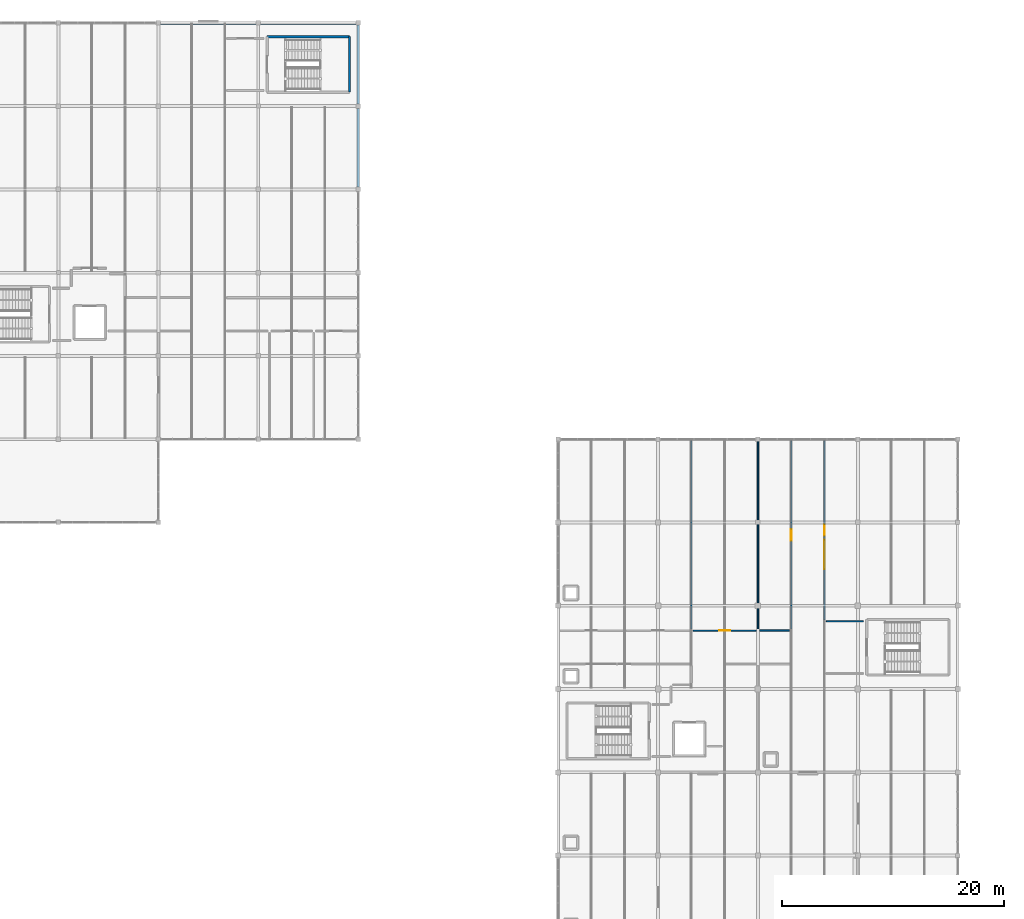
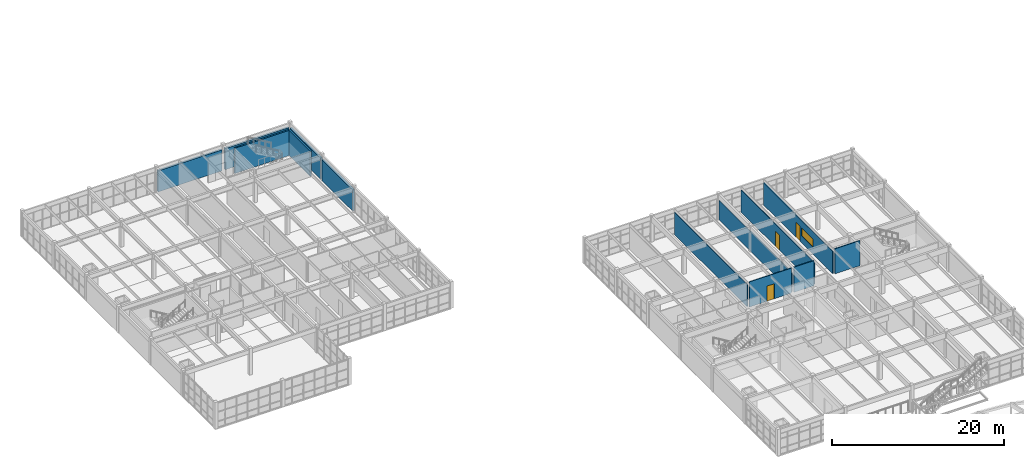
# One storey, part 77 of 81: 13 walls, 3 doors, 1 window, 4 openings.
"""IFC4 building model written with IfcOpenShell, lengths in metres."""

from ifc_helpers import new_model, si_unit, direction, frame, frame_2d, origin, place, context, subcontext, project, spatial, rectangle, extrude, material, layer, layer_set, type_object, element, fill, save


model = new_model("IFC4")

# Units and contexts
model_context = context("Model", 3, precision=1e-05, world=origin(), true_north=direction((0.0, 1.0)))
body_context = subcontext(model_context, "Body", "Model", "MODEL_VIEW")
ifc_project = project(units=[si_unit("LENGTHUNIT", "METRE"), si_unit("AREAUNIT", "SQUARE_METRE"), si_unit("VOLUMEUNIT", "CUBIC_METRE"), si_unit("PLANEANGLEUNIT", "RADIAN"), si_unit("MASSUNIT", "GRAM", prefix="KILO")], contexts=[model_context])

# Site, building, storey
site_placement = place(None, origin())
site = spatial("IfcSite", under=ifc_project, at=site_placement, CompositionType="ELEMENT")
building_placement = place(site_placement, origin())
building = spatial("IfcBuilding", under=site, at=building_placement, Name="Marnridge Secondary College", CompositionType="ELEMENT")
storey_placement = place(building_placement, frame((0.0, 0.0, 8.5)))
storey = spatial("IfcBuildingStorey", under=building, at=storey_placement, Name="L02", CompositionType="ELEMENT", Elevation=8.5)

# Walls
ifc_material_1 = material(Name="Concrete C40/50 (AS 3600 N40, 40 MPa)", Category="concrete")
ifc_layer_1 = layer(ifc_material_1, 0.199951171875)
ifc_layer_set_1 = layer_set([ifc_layer_1], Name="WT-CORE-RC200")
wall_type_1 = type_object("IfcWallType", Name="WT-CORE-RC200", PredefinedType="SHEAR", material=ifc_layer_set_1)
wall_1_placement = place(storey_placement, frame((35.199951171875, 113.75, 0.0), z_axis=(0.0, 0.0, 1.0), x_axis=(0.0, 1.0, 0.0)))
element("IfcWall", 1, at=wall_1_placement, inside=storey, type_object=wall_type_1, Name="Stair core shear wall WC-L02-0362", PredefinedType="SHEAR", context=body_context, shape_type="SweptSolid", body=[
    extrude(rectangle(XDim=5.0, YDim=0.199951171875, at=frame_2d((2.5, 0.0))), origin(), (0.0, 0.0, 1.0), 3.580078125),
])
wall_2_placement = place(storey_placement, frame((35.199951171875, 118.75, 0.0), z_axis=(0.0, 0.0, 1.0), x_axis=(-1.0, 0.0, 0.0)))
element("IfcWall", 2, at=wall_2_placement, inside=storey, type_object=wall_type_1, Name="Stair core shear wall WC-L02-0363", PredefinedType="SHEAR", context=body_context, shape_type="SweptSolid", body=[
    extrude(rectangle(XDim=7.39990234375, YDim=0.199951171875, at=frame_2d((3.699951171875, 0.0))), origin(), (0.0, 0.0, 1.0), 3.580078125),
])
ifc_material_2 = material(Name="Precast concrete C40/50 (AS 3600 N40, 40 MPa)", Category="concrete")
ifc_layer_2 = layer(ifc_material_2, 0.260009765625)
ifc_layer_set_2 = layer_set([ifc_layer_2], Name="WT-EXT-PC260")
wall_type_2 = type_object("IfcWallType", Name="WT-EXT-PC260", PredefinedType="SOLIDWALL", material=ifc_layer_set_2)
for number, where, z_axis, x_axis, name in (
    (3, (18.196044921875, 120.0, 0.0), (0.0, 0.0, 1.0), (1.0, 0.0, 0.0), "Exterior wall WE-L02-0151"),
    (4, (27.196044921875, 120.0, 0.0), (0.0, 0.0, 1.0), (1.0, 0.0, 0.0), "Exterior wall WE-L02-0152"),
):
    element("IfcWall", number, at=place(storey_placement, frame(where, z_axis=z_axis, x_axis=x_axis)), inside=storey, type_object=wall_type_2, Name=name, PredefinedType="SOLIDWALL", context=body_context, shape_type="SweptSolid", body=[
        extrude(rectangle(XDim=8.60791015625, YDim=0.260009765625, at=frame_2d((4.303955078125, 0.0))), origin(), (0.0, 0.0, 1.0), 2.987060546875),
    ])
for number, where, z_axis, x_axis, name in (
    (5, (36.0, 119.803955078125, 0.0), (0.0, 0.0, 1.0), (0.0, -1.0, 0.0), "Exterior wall WE-L02-0153"),
    (6, (36.0, 112.303955078125, 0.0), (0.0, 0.0, 1.0), (0.0, -1.0, 0.0), "Exterior wall WE-L02-0154"),
):
    element("IfcWall", number, at=place(storey_placement, frame(where, z_axis=z_axis, x_axis=x_axis)), inside=storey, type_object=wall_type_2, Name=name, PredefinedType="SOLIDWALL", context=body_context, shape_type="SweptSolid", body=[
        extrude(rectangle(XDim=7.10791015625, YDim=0.260009765625, at=frame_2d((3.553955078125, 0.0))), origin(), (0.0, 0.0, 1.0), 2.987060546875),
    ])

# Wall, opening, door
ifc_material_3 = material(Name="Acoustic plasterboard partition Rw45", Category="gypsum")
ifc_layer_3 = layer(ifc_material_3, 0.1201171875)
ifc_layer_set_3 = layer_set([ifc_layer_3], Name="WT-PART-AC120")
wall_type_3 = type_object("IfcWallType", Name="WT-PART-AC120", PredefinedType="PARTITIONING", material=ifc_layer_set_3)
wall_3_placement = place(storey_placement, frame((75.0, 65.409912109375, 0.0), z_axis=(0.0, 0.0, 1.0), x_axis=(0.0, 1.0, 0.0)))
wall_3 = element("IfcWall", 7, at=wall_3_placement, inside=storey, type_object=wall_type_3, Name="Interior partition WP-L02-0249", PredefinedType="PARTITIONING", context=body_context, shape_type="SweptSolid", body=[
    extrude(rectangle(XDim=16.93017578125, YDim=0.1201171875, at=frame_2d((8.465087890625, 0.0))), origin(), (0.0, 0.0, 1.0), 3.162109375),
])
opening_1_placement = place(wall_3_placement, frame((7.965087890625, 0.0, 0.0)))
opening_1 = element("IfcOpeningElement", 8, at=opening_1_placement, cuts=wall_3, Name="Opening DI-L02-0088", PredefinedType="OPENING", context=body_context, shape_type="SweptSolid", body=[
    extrude(rectangle(XDim=1.0, YDim=2.14990234375, at=frame_2d((0.5, 1.074951171875))), frame((0.0, 0.070068359375, 0.0), z_axis=(0.0, -1.0, 0.0), x_axis=(1.0, 0.0, 0.0)), (0.0, 0.0, 1.0), 0.14013671875),
])
ifc_material_4 = material(Name="Solid-core acoustic hoop-pine classroom doorset", Category="wood")
door_type = type_object("IfcDoorType", Name="DT-CLS-100", OperationType="NOTDEFINED", PredefinedType="DOOR", material=ifc_material_4)
door_1_placement = place(opening_1_placement, origin())
door_1 = element("IfcDoor", 9, at=door_1_placement, inside=storey, type_object=door_type, Name="Interior door DI-L02-0088", OperationType="SINGLE_SWING_RIGHT", OverallHeight=2.14990234375, OverallWidth=1.0, PredefinedType="DOOR", context=body_context, shape_type="SweptSolid", body=[
    extrude(rectangle(XDim=1.0, YDim=2.14990234375, at=frame_2d((0.5, 1.074951171875))), frame((0.0, 0.02490234375, 0.0), z_axis=(0.0, -1.0, 0.0), x_axis=(1.0, 0.0, 0.0)), (0.0, 0.0, 1.0), 0.050048828125),
])
fill(opening_1, door_1)

# Walls
wall_4_placement = place(storey_placement, frame((78.159912109375, 66.10009765625, 0.0), z_axis=(0.0, 0.0, 1.0), x_axis=(1.0, 0.0, 0.0)))
element("IfcWall", 10, at=wall_4_placement, inside=storey, type_object=wall_type_3, Name="Interior partition WP-L02-0251", PredefinedType="PARTITIONING", context=body_context, shape_type="SweptSolid", body=[
    extrude(rectangle(XDim=3.340087890625, YDim=0.1201171875, at=frame_2d((1.669921875, 0.0))), origin(), (0.0, 0.0, 1.0), 3.570068359375),
])
ifc_material_5 = material(Name="Acoustic plasterboard partition Rw48", Category="gypsum")
ifc_layer_4 = layer(ifc_material_5, 0.135009765625)
ifc_layer_set_4 = layer_set([ifc_layer_4], Name="WT-PART-AC135")
wall_type_4 = type_object("IfcWallType", Name="WT-PART-AC135", PredefinedType="PARTITIONING", material=ifc_layer_set_4)
wall_5_placement = place(storey_placement, frame((72.159912109375, 65.25, 0.0), z_axis=(0.0, 0.0, 1.0), x_axis=(1.0, 0.0, 0.0)))
element("IfcWall", 11, at=wall_5_placement, inside=storey, type_object=wall_type_4, Name="Interior partition WP-L02-0248", PredefinedType="PARTITIONING", context=body_context, shape_type="SweptSolid", body=[
    extrude(rectangle(XDim=2.68017578125, YDim=0.135009765625, at=frame_2d((1.340087890625, 0.0))), origin(), (0.0, 0.0, 1.0), 3.570068359375),
])

# Wall, openings, door, window
wall_6_placement = place(storey_placement, frame((78.0, 82.340087890625, 0.0), z_axis=(0.0, 0.0, 1.0), x_axis=(0.0, -1.0, 0.0)))
wall_6 = element("IfcWall", 12, at=wall_6_placement, inside=storey, type_object=wall_type_4, Name="Interior partition WP-L02-0250", PredefinedType="PARTITIONING", context=body_context, shape_type="SweptSolid", body=[
    extrude(rectangle(XDim=16.080078125, YDim=0.135009765625, at=frame_2d((8.0400390625, 0.0))), origin(), (0.0, 0.0, 1.0), 3.162109375),
])
opening_2_placement = place(wall_6_placement, frame((7.5400390625, 0.0, 0.0)))
opening_2 = element("IfcOpeningElement", 13, at=opening_2_placement, cuts=wall_6, Name="Opening DI-L02-0089", PredefinedType="OPENING", context=body_context, shape_type="SweptSolid", body=[
    extrude(rectangle(XDim=1.0, YDim=2.14990234375, at=frame_2d((0.5, 1.074951171875))), frame((0.0, 0.077392578125, 0.0), z_axis=(0.0, -1.0, 0.0), x_axis=(1.0, 0.0, 0.0)), (0.0, 0.0, 1.0), 0.155029296875),
])
opening_3_placement = place(wall_6_placement, frame((8.889892578125, 0.0, 1.02001953125)))
opening_3 = element("IfcOpeningElement", 14, at=opening_3_placement, cuts=wall_6, Name="Opening WNI-L02-018", PredefinedType="OPENING", context=body_context, shape_type="SweptSolid", body=[
    extrude(rectangle(XDim=2.659912109375, YDim=1.1201171875, at=frame_2d((1.330078125, 0.56005859375))), frame((0.0, 0.077392578125, 0.0), z_axis=(0.0, -1.0, 0.0), x_axis=(1.0, 0.0, 0.0)), (0.0, 0.0, 1.0), 0.155029296875),
])
door_2_placement = place(opening_2_placement, origin())
door_2 = element("IfcDoor", 15, at=door_2_placement, inside=storey, type_object=door_type, Name="Interior door DI-L02-0089", OperationType="SINGLE_SWING_LEFT", OverallHeight=2.14990234375, OverallWidth=1.0, PredefinedType="DOOR", context=body_context, shape_type="SweptSolid", body=[
    extrude(rectangle(XDim=1.0, YDim=2.14990234375, at=frame_2d((0.5, 1.074951171875))), frame((0.0, 0.02490234375, 0.0), z_axis=(0.0, -1.0, 0.0), x_axis=(1.0, 0.0, 0.0)), (0.0, 0.0, 1.0), 0.050048828125),
])
fill(opening_2, door_2)
ifc_material_6 = material(Name="Acoustic laminated interior vision glazing", Category="glass")
window_type = type_object("IfcWindowType", Name="WN-BL-VAR18", PartitioningType="DOUBLE_PANEL_VERTICAL", PredefinedType="WINDOW", material=ifc_material_6)
window_placement = place(opening_3_placement, origin())
window = element("IfcWindow", 16, at=window_placement, inside=storey, type_object=window_type, Name="Interior vision window WNI-L02-018", OverallHeight=1.1201171875, OverallWidth=2.659912109375, PartitioningType="DOUBLE_PANEL_VERTICAL", PredefinedType="WINDOW", context=body_context, shape_type="SweptSolid", body=[
    extrude(rectangle(XDim=2.659912109375, YDim=1.1201171875, at=frame_2d((1.330078125, 0.56005859375))), frame((0.0, 0.030029296875, 0.0), z_axis=(0.0, -1.0, 0.0), x_axis=(1.0, 0.0, 0.0)), (0.0, 0.0, 1.0), 0.06005859375),
])
fill(opening_3, window)

# Wall
ifc_material_7 = material(Name="Moisture-resistant plasterboard sanitary partition", Category="gypsum")
ifc_layer_5 = layer(ifc_material_7, 0.110107421875)
ifc_layer_set_5 = layer_set([ifc_layer_5], Name="WT-PART-WT110")
wall_type_5 = type_object("IfcWallType", Name="WT-PART-WT110", PredefinedType="PARTITIONING", material=ifc_layer_set_5)
wall_7_placement = place(storey_placement, frame((66.0, 65.409912109375, 0.0), z_axis=(0.0, 0.0, 1.0), x_axis=(0.0, 1.0, 0.0)))
element("IfcWall", 17, at=wall_7_placement, inside=storey, type_object=wall_type_5, Name="Interior partition WP-L02-0231", PredefinedType="PARTITIONING", context=body_context, shape_type="SweptSolid", body=[
    extrude(rectangle(XDim=16.93017578125, YDim=0.110107421875, at=frame_2d((8.465087890625, 0.0))), origin(), (0.0, 0.0, 1.0), 3.162109375),
])

# Wall, opening, door
wall_8_placement = place(storey_placement, frame((66.159912109375, 65.25, 0.0), z_axis=(0.0, 0.0, 1.0), x_axis=(1.0, 0.0, 0.0)))
wall_8 = element("IfcWall", 18, at=wall_8_placement, inside=storey, type_object=wall_type_5, Name="Interior partition WP-L02-0233", PredefinedType="PARTITIONING", context=body_context, shape_type="SweptSolid", body=[
    extrude(rectangle(XDim=5.68017578125, YDim=0.110107421875, at=frame_2d((2.840087890625, 0.0))), origin(), (0.0, 0.0, 1.0), 3.570068359375),
])
opening_4_placement = place(wall_8_placement, frame((2.340087890625, 0.0, 0.0)))
opening_4 = element("IfcOpeningElement", 19, at=opening_4_placement, cuts=wall_8, Name="Opening DI-L02-0083", PredefinedType="OPENING", context=body_context, shape_type="SweptSolid", body=[
    extrude(rectangle(XDim=1.0, YDim=2.14990234375, at=frame_2d((0.5, 1.074951171875))), frame((0.0, 0.06494140625, 0.0), z_axis=(0.0, -1.0, 0.0), x_axis=(1.0, 0.0, 0.0)), (0.0, 0.0, 1.0), 0.130126953125),
])
door_3_placement = place(opening_4_placement, origin())
door_3 = element("IfcDoor", 20, at=door_3_placement, inside=storey, type_object=door_type, Name="Interior door DI-L02-0083", OperationType="SINGLE_SWING_LEFT", OverallHeight=2.14990234375, OverallWidth=1.0, PredefinedType="DOOR", context=body_context, shape_type="SweptSolid", body=[
    extrude(rectangle(XDim=1.0, YDim=2.14990234375, at=frame_2d((0.5, 1.074951171875))), frame((0.0, 0.02490234375, 0.0), z_axis=(0.0, -1.0, 0.0), x_axis=(1.0, 0.0, 0.0)), (0.0, 0.0, 1.0), 0.050048828125),
])
fill(opening_4, door_3)

# Wall
wall_9_placement = place(storey_placement, frame((72.0, 65.409912109375, 0.0), z_axis=(0.0, 0.0, 1.0), x_axis=(0.0, 1.0, 0.0)))
element("IfcWall", 21, at=wall_9_placement, inside=storey, type_object=wall_type_5, Name="Interior partition WP-L02-0234", PredefinedType="PARTITIONING", context=body_context, shape_type="SweptSolid", body=[
    extrude(rectangle(XDim=16.93017578125, YDim=0.110107421875, at=frame_2d((8.465087890625, 0.0))), origin(), (0.0, 0.0, 1.0), 2.77197265625),
])

save(model, "model.ifc")
